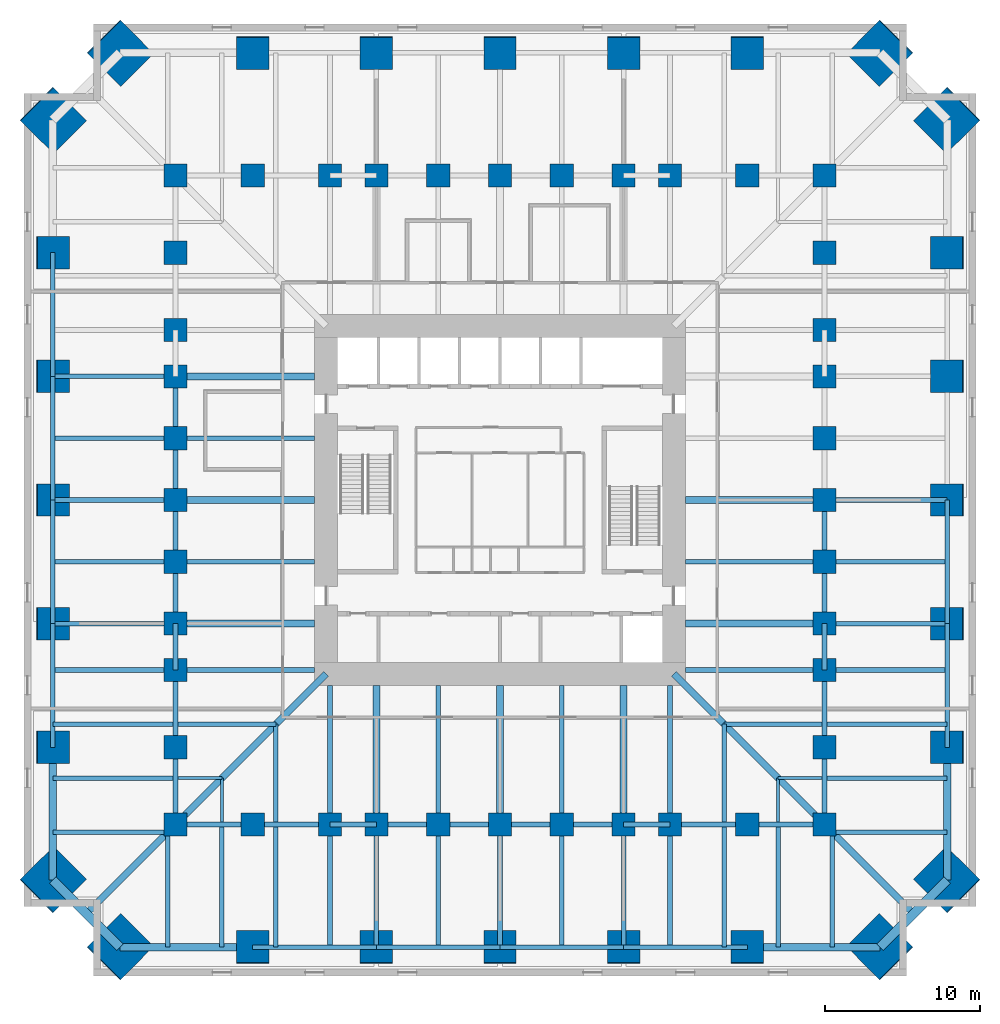
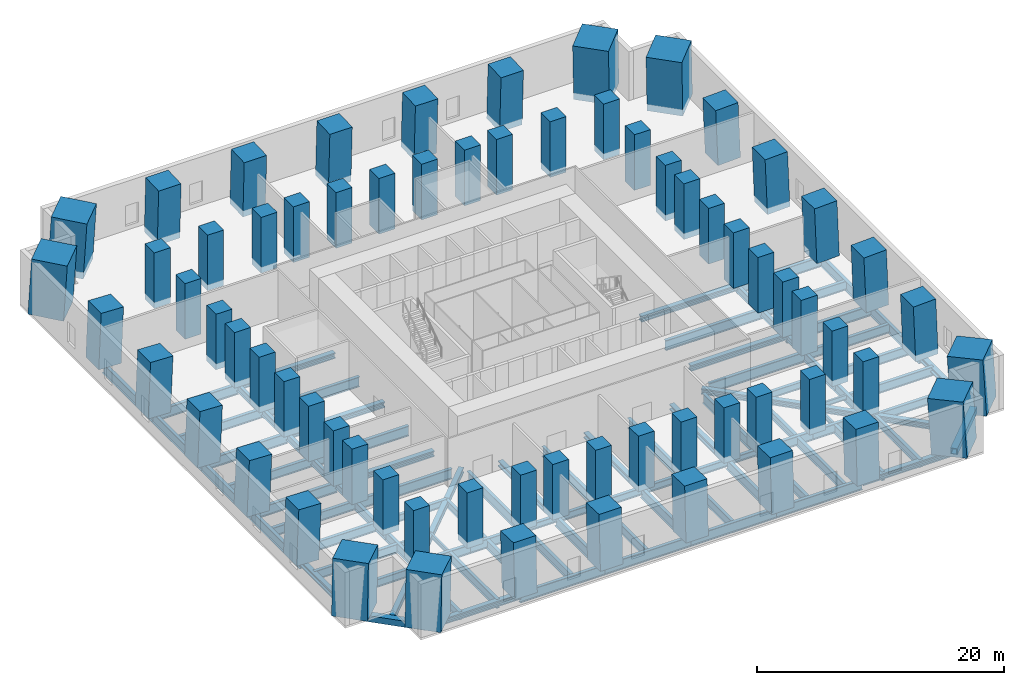
# One storey, part 1 of 8: 96 beams, 68 columns.
"""IFC4 building model written with IfcOpenShell, lengths in metres."""

from ifc_helpers import new_model, si_unit, direction, frame, origin, origin_2d, place, context, subcontext, project, spatial, rectangle, hollow_rectangle, i_section, extrude, material, material_profile, profile_set, type_object, element, save


model = new_model("IFC4")

# Units and contexts
model_context = context("Model", 3, precision=1e-05, world=origin(), true_north=direction((0.0, 1.0)))
body_context = subcontext(model_context, "Body", "Model", "MODEL_VIEW")
ifc_project = project(units=[si_unit("LENGTHUNIT", "METRE"), si_unit("AREAUNIT", "SQUARE_METRE"), si_unit("VOLUMEUNIT", "CUBIC_METRE"), si_unit("PLANEANGLEUNIT", "RADIAN"), si_unit("MASSUNIT", "GRAM", prefix="KILO")], contexts=[model_context])

# Site, building, storey
site_placement = place(None, origin())
site = spatial("IfcSite", under=ifc_project, at=site_placement, CompositionType="ELEMENT")
building_placement = place(site_placement, origin())
building = spatial("IfcBuilding", under=site, at=building_placement, Name="Peilmerk Tower", CompositionType="ELEMENT")
storey_placement = place(building_placement, frame((0.0, 0.0, 48.5)))
storey = spatial("IfcBuildingStorey", under=building, at=storey_placement, Name="L09", CompositionType="ELEMENT", Elevation=48.5)

# Columns
ifc_material_1 = material(Name="Concrete C90/105", Category="concrete")
ifc_material_profile_1 = material_profile(ifc_material_1, rectangle(XDim=3.0, YDim=3.0, at=origin_2d()), Name="RC 3000x3000")
ifc_profile_set_1 = profile_set([ifc_material_profile_1], Name="Concrete C90/105")
column_type_1 = type_object("IfcColumnType", Name="MC1 3000x3000 encased mega column", PredefinedType="COLUMN", material=ifc_profile_set_1)
for number, where, z_axis, x_axis, name in (
    (1, (24.591064453125, 28.941162109375, 0.0), (-0.04024000792, -0.040284325109, 0.998377641433), (0.707495835723, -0.706717512472, 0.0), "Mega column MC1 NE_N L09"),
    (2, (28.941162109375, 24.591064453125, 0.0), (-0.040284325109, -0.04024000792, 0.998377641433), (0.706717512472, -0.707495835723, 0.0), "Mega column MC1 NE_E L09"),
    (3, (28.941162109375, -24.591064453125, 0.0), (-0.040284325109, 0.04024000792, 0.998377641433), (-0.706717512472, -0.707495835723, 0.0), "Mega column MC1 SE_E L09"),
    (4, (24.591064453125, -28.941162109375, 0.0), (-0.04024000792, 0.040284325109, 0.998377641433), (-0.707495835723, -0.706717512472, 0.0), "Mega column MC1 SE_S L09"),
    (5, (-24.591064453125, -28.941162109375, 0.0), (0.04024000792, 0.040284325109, 0.998377641433), (-0.707495835723, 0.706717512472, 0.0), "Mega column MC1 SW_S L09"),
    (6, (-28.941162109375, -24.591064453125, 0.0), (0.040284325109, 0.04024000792, 0.998377641433), (-0.706717512472, 0.707495835723, 0.0), "Mega column MC1 SW_W L09"),
    (7, (-28.941162109375, 24.591064453125, 0.0), (0.040284325109, -0.04024000792, 0.998377641433), (0.706717512472, 0.707495835723, 0.0), "Mega column MC1 NW_W L09"),
    (8, (-24.591064453125, 28.941162109375, 0.0), (0.04024000792, -0.040284325109, 0.998377641433), (0.707495835723, 0.706717512472, 0.0), "Mega column MC1 NW_N L09"),
):
    element("IfcColumn", number, at=place(storey_placement, frame(where, z_axis=z_axis, x_axis=x_axis)), inside=storey, type_object=column_type_1, Name=name, PredefinedType="COLUMN", context=body_context, shape_type="SweptSolid", body=[
        extrude(rectangle(XDim=3.0, YDim=3.0, at=origin_2d()), origin(), (0.0, 0.0, 1.0), 5.509033203125),
    ])
ifc_material_profile_2 = material_profile(ifc_material_1, rectangle(XDim=2.10009765625, YDim=2.10009765625, at=origin_2d()), Name="RC 2100x2100")
ifc_profile_set_2 = profile_set([ifc_material_profile_2], Name="Concrete C90/105")
column_type_2 = type_object("IfcColumnType", Name="SC3 2100x2100 encased perimeter column", PredefinedType="COLUMN", material=ifc_profile_set_2)
for number, where, z_axis, x_axis, name in (
    (9, (0.0, 28.941162109375, 0.0), (0.0, -0.040316980135, 0.999186940023), (1.0, 0.0, 0.0), "Perimeter column N+0 L09"),
    (10, (8.0, 28.941162109375, 0.0), (0.0, -0.040316980135, 0.999186940023), (1.0, 0.0, 0.0), "Perimeter column N-8 L09"),
    (11, (-8.0, 28.941162109375, 0.0), (0.0, -0.040316980135, 0.999186940023), (1.0, 0.0, 0.0), "Perimeter column N+8 L09"),
    (12, (16.0, 28.941162109375, 0.0), (0.0, -0.040316980135, 0.999186940023), (1.0, 0.0, 0.0), "Perimeter column N-16 L09"),
    (13, (-16.0, 28.941162109375, 0.0), (0.0, -0.040316980135, 0.999186940023), (1.0, 0.0, 0.0), "Perimeter column N+16 L09"),
    (14, (28.941162109375, 0.0, 0.0), (-0.040316980135, 0.0, 0.999186940023), (0.0, -1.0, 0.0), "Perimeter column E+0 L09"),
    (15, (28.941162109375, -8.0, 0.0), (-0.040316980135, 0.0, 0.999186940023), (0.0, -1.0, 0.0), "Perimeter column E-8 L09"),
    (16, (28.941162109375, 8.0, 0.0), (-0.040316980135, 0.0, 0.999186940023), (0.0, -1.0, 0.0), "Perimeter column E+8 L09"),
    (17, (28.941162109375, -16.0, 0.0), (-0.040316980135, 0.0, 0.999186940023), (0.0, -1.0, 0.0), "Perimeter column E-16 L09"),
    (18, (28.941162109375, 16.0, 0.0), (-0.040316980135, 0.0, 0.999186940023), (0.0, -1.0, 0.0), "Perimeter column E+16 L09"),
    (19, (0.0, -28.941162109375, 0.0), (0.0, 0.040316980135, 0.999186940023), (-1.0, 0.0, 0.0), "Perimeter column S+0 L09"),
    (20, (-8.0, -28.941162109375, 0.0), (0.0, 0.040316980135, 0.999186940023), (-1.0, 0.0, 0.0), "Perimeter column S-8 L09"),
    (21, (8.0, -28.941162109375, 0.0), (0.0, 0.040316980135, 0.999186940023), (-1.0, 0.0, 0.0), "Perimeter column S+8 L09"),
    (22, (-16.0, -28.941162109375, 0.0), (0.0, 0.040316980135, 0.999186940023), (-1.0, 0.0, 0.0), "Perimeter column S-16 L09"),
    (23, (16.0, -28.941162109375, 0.0), (0.0, 0.040316980135, 0.999186940023), (-1.0, 0.0, 0.0), "Perimeter column S+16 L09"),
    (24, (-28.941162109375, 0.0, 0.0), (0.040316980135, 0.0, 0.999186940023), (0.0, 1.0, 0.0), "Perimeter column W+0 L09"),
    (25, (-28.941162109375, 8.0, 0.0), (0.040316980135, 0.0, 0.999186940023), (0.0, 1.0, 0.0), "Perimeter column W-8 L09"),
    (26, (-28.941162109375, -8.0, 0.0), (0.040316980135, 0.0, 0.999186940023), (0.0, 1.0, 0.0), "Perimeter column W+8 L09"),
    (27, (-28.941162109375, 16.0, 0.0), (0.040316980135, 0.0, 0.999186940023), (0.0, 1.0, 0.0), "Perimeter column W-16 L09"),
    (28, (-28.941162109375, -16.0, 0.0), (0.040316980135, 0.0, 0.999186940023), (0.0, 1.0, 0.0), "Perimeter column W+16 L09"),
):
    element("IfcColumn", number, at=place(storey_placement, frame(where, z_axis=z_axis, x_axis=x_axis)), inside=storey, type_object=column_type_2, Name=name, PredefinedType="COLUMN", context=body_context, shape_type="SweptSolid", body=[
        extrude(rectangle(XDim=2.10009765625, YDim=2.10009765625, at=origin_2d()), origin(), (0.0, 0.0, 1.0), 5.50439453125),
    ])
ifc_material_profile_3 = material_profile(ifc_material_1, rectangle(XDim=1.5, YDim=1.5, at=origin_2d()), Name="RC 1500x1500")
ifc_profile_set_3 = profile_set([ifc_material_profile_3], Name="Concrete C90/105")
column_type_3 = type_object("IfcColumnType", Name="SC4 1500x1500 encased interior column", PredefinedType="COLUMN", material=ifc_profile_set_3)
for number, where, z_axis, x_axis, name in (
    (29, (0.0, 21.0, 0.0), (0.0, 0.0, 1.0), (1.0, 0.0, 0.0), "Interior column N+0 L09"),
    (30, (4.0, 21.0, 0.0), (0.0, 0.0, 1.0), (1.0, 0.0, 0.0), "Interior column N-4 L09"),
    (31, (-4.0, 21.0, 0.0), (0.0, 0.0, 1.0), (1.0, 0.0, 0.0), "Interior column N+4 L09"),
    (32, (8.0, 21.0, 0.0), (0.0, 0.0, 1.0), (1.0, 0.0, 0.0), "Interior column N-8 L09"),
    (33, (-8.0, 21.0, 0.0), (0.0, 0.0, 1.0), (1.0, 0.0, 0.0), "Interior column N+8 L09"),
    (34, (11.0, 21.0, 0.0), (0.0, 0.0, 1.0), (1.0, 0.0, 0.0), "Interior column N-11 L09"),
    (35, (-11.0, 21.0, 0.0), (0.0, 0.0, 1.0), (1.0, 0.0, 0.0), "Interior column N+11 L09"),
    (36, (16.0, 21.0, 0.0), (0.0, 0.0, 1.0), (1.0, 0.0, 0.0), "Interior column N-16 L09"),
    (37, (-16.0, 21.0, 0.0), (0.0, 0.0, 1.0), (1.0, 0.0, 0.0), "Interior column N+16 L09"),
    (38, (21.0, 0.0, 0.0), (0.0, 0.0, 1.0), (1.0, 0.0, 0.0), "Interior column E+0 L09"),
    (39, (21.0, -4.0, 0.0), (0.0, 0.0, 1.0), (1.0, 0.0, 0.0), "Interior column E-4 L09"),
    (40, (21.0, 4.0, 0.0), (0.0, 0.0, 1.0), (1.0, 0.0, 0.0), "Interior column E+4 L09"),
    (41, (21.0, -8.0, 0.0), (0.0, 0.0, 1.0), (1.0, 0.0, 0.0), "Interior column E-8 L09"),
    (42, (21.0, 8.0, 0.0), (0.0, 0.0, 1.0), (1.0, 0.0, 0.0), "Interior column E+8 L09"),
    (43, (21.0, -11.0, 0.0), (0.0, 0.0, 1.0), (1.0, 0.0, 0.0), "Interior column E-11 L09"),
    (44, (21.0, 11.0, 0.0), (0.0, 0.0, 1.0), (1.0, 0.0, 0.0), "Interior column E+11 L09"),
    (45, (21.0, -16.0, 0.0), (0.0, 0.0, 1.0), (1.0, 0.0, 0.0), "Interior column E-16 L09"),
    (46, (21.0, 16.0, 0.0), (0.0, 0.0, 1.0), (1.0, 0.0, 0.0), "Interior column E+16 L09"),
    (47, (0.0, -21.0, 0.0), (0.0, 0.0, 1.0), (1.0, 0.0, 0.0), "Interior column S+0 L09"),
    (48, (-4.0, -21.0, 0.0), (0.0, 0.0, 1.0), (1.0, 0.0, 0.0), "Interior column S-4 L09"),
    (49, (4.0, -21.0, 0.0), (0.0, 0.0, 1.0), (1.0, 0.0, 0.0), "Interior column S+4 L09"),
    (50, (-8.0, -21.0, 0.0), (0.0, 0.0, 1.0), (1.0, 0.0, 0.0), "Interior column S-8 L09"),
    (51, (8.0, -21.0, 0.0), (0.0, 0.0, 1.0), (1.0, 0.0, 0.0), "Interior column S+8 L09"),
    (52, (-11.0, -21.0, 0.0), (0.0, 0.0, 1.0), (1.0, 0.0, 0.0), "Interior column S-11 L09"),
    (53, (11.0, -21.0, 0.0), (0.0, 0.0, 1.0), (1.0, 0.0, 0.0), "Interior column S+11 L09"),
    (54, (-16.0, -21.0, 0.0), (0.0, 0.0, 1.0), (1.0, 0.0, 0.0), "Interior column S-16 L09"),
    (55, (16.0, -21.0, 0.0), (0.0, 0.0, 1.0), (1.0, 0.0, 0.0), "Interior column S+16 L09"),
    (56, (-21.0, 0.0, 0.0), (0.0, 0.0, 1.0), (1.0, 0.0, 0.0), "Interior column W+0 L09"),
    (57, (-21.0, 4.0, 0.0), (0.0, 0.0, 1.0), (1.0, 0.0, 0.0), "Interior column W-4 L09"),
    (58, (-21.0, -4.0, 0.0), (0.0, 0.0, 1.0), (1.0, 0.0, 0.0), "Interior column W+4 L09"),
    (59, (-21.0, 8.0, 0.0), (0.0, 0.0, 1.0), (1.0, 0.0, 0.0), "Interior column W-8 L09"),
    (60, (-21.0, -8.0, 0.0), (0.0, 0.0, 1.0), (1.0, 0.0, 0.0), "Interior column W+8 L09"),
    (61, (-21.0, 11.0, 0.0), (0.0, 0.0, 1.0), (1.0, 0.0, 0.0), "Interior column W-11 L09"),
    (62, (-21.0, -11.0, 0.0), (0.0, 0.0, 1.0), (1.0, 0.0, 0.0), "Interior column W+11 L09"),
    (63, (-21.0, 16.0, 0.0), (0.0, 0.0, 1.0), (1.0, 0.0, 0.0), "Interior column W-16 L09"),
    (64, (-21.0, -16.0, 0.0), (0.0, 0.0, 1.0), (1.0, 0.0, 0.0), "Interior column W+16 L09"),
    (65, (21.0, 21.0, 0.0), (0.0, 0.0, 1.0), (1.0, 0.0, 0.0), "Interior column NE L09"),
    (66, (21.0, -21.0, 0.0), (0.0, 0.0, 1.0), (1.0, 0.0, 0.0), "Interior column SE L09"),
    (67, (-21.0, -21.0, 0.0), (0.0, 0.0, 1.0), (1.0, 0.0, 0.0), "Interior column SW L09"),
    (68, (-21.0, 21.0, 0.0), (0.0, 0.0, 1.0), (1.0, 0.0, 0.0), "Interior column NW L09"),
):
    element("IfcColumn", number, at=place(storey_placement, frame(where, z_axis=z_axis, x_axis=x_axis)), inside=storey, type_object=column_type_3, Name=name, PredefinedType="COLUMN", context=body_context, shape_type="SweptSolid", body=[
        extrude(rectangle(XDim=1.5, YDim=1.5, at=origin_2d()), origin(), (0.0, 0.0, 1.0), 5.5),
    ])

# Beams
ifc_material_2 = material(Name="Steel S355", Category="steel")
ifc_material_profile_4 = material_profile(ifc_material_2, i_section(OverallWidth=0.300048828125, OverallDepth=1.0, WebThickness=0.01904296875, FlangeThickness=0.035888671875, at=origin_2d()), Name="HEB 1000")
ifc_profile_set_4 = profile_set([ifc_material_profile_4], Name="Steel S355")
beam_type_1 = type_object("IfcBeamType", Name="B13 HEB 1000 edge beam", PredefinedType="SPANDREL", material=ifc_profile_set_4)
for number, where, z_axis, x_axis, name in (
    (69, (28.941162109375, -16.0, -0.699951171875), (0.0, 1.0, 0.0), (-1.0, 0.0, 0.0), "Edge beam L09"),
    (70, (28.941162109375, -8.0, -0.699951171875), (0.0, 1.0, 0.0), (-1.0, 0.0, 0.0), "Edge beam L09"),
    (71, (-16.0, -28.941162109375, -0.699951171875), (1.0, 0.0, 0.0), (0.0, 1.0, 0.0), "Edge beam L09"),
    (72, (-8.0, -28.941162109375, -0.699951171875), (1.0, 0.0, 0.0), (0.0, 1.0, 0.0), "Edge beam L09"),
    (73, (0.0, -28.941162109375, -0.699951171875), (1.0, 0.0, 0.0), (0.0, 1.0, 0.0), "Edge beam L09"),
    (74, (8.0, -28.941162109375, -0.699951171875), (1.0, 0.0, 0.0), (0.0, 1.0, 0.0), "Edge beam L09"),
    (75, (-28.941162109375, 16.0, -0.699951171875), (0.0, -1.0, 0.0), (1.0, 0.0, 0.0), "Edge beam L09"),
    (76, (-28.941162109375, 8.0, -0.699951171875), (0.0, -1.0, 0.0), (1.0, 0.0, 0.0), "Edge beam L09"),
    (77, (-28.941162109375, 0.0, -0.699951171875), (0.0, -1.0, 0.0), (1.0, 0.0, 0.0), "Edge beam L09"),
    (78, (-28.941162109375, -8.0, -0.699951171875), (0.0, -1.0, 0.0), (1.0, 0.0, 0.0), "Edge beam L09"),
):
    element("IfcBeam", number, at=place(storey_placement, frame(where, z_axis=z_axis, x_axis=x_axis)), inside=storey, type_object=beam_type_1, Name=name, PredefinedType="SPANDREL", context=body_context, shape_type="SweptSolid", body=[
        extrude(i_section(OverallWidth=0.300048828125, OverallDepth=1.0, WebThickness=0.01904296875, FlangeThickness=0.035888671875, at=origin_2d()), origin(), (0.0, 0.0, 1.0), 8.0),
    ])
ifc_material_profile_5 = material_profile(ifc_material_2, i_section(OverallWidth=0.300048828125, OverallDepth=0.68994140625, WebThickness=0.014404296875, FlangeThickness=0.027099609375, at=origin_2d()), Name="HEA 700")
ifc_profile_set_5 = profile_set([ifc_material_profile_5], Name="Steel S355")
beam_type_2 = type_object("IfcBeamType", Name="B16 HEA 700 floor beam", PredefinedType="BEAM", material=ifc_profile_set_5)
for number, where, z_axis, x_axis, name in (
    (79, (14.5, -14.5, -0.544921875), (0.0, -1.0, 0.0), (1.0, 0.0, 0.0), "Floor beam L09"),
    (80, (14.5, -14.5, -0.544921875), (1.0, 0.0, 0.0), (0.0, 1.0, 0.0), "Floor beam L09"),
    (81, (-14.5, -14.5, -0.544921875), (0.0, -1.0, 0.0), (1.0, 0.0, 0.0), "Floor beam L09"),
    (82, (-14.5, -14.5, -0.544921875), (-1.0, 0.0, 0.0), (0.0, -1.0, 0.0), "Floor beam L09"),
):
    element("IfcBeam", number, at=place(storey_placement, frame(where, z_axis=z_axis, x_axis=x_axis)), inside=storey, type_object=beam_type_2, Name=name, PredefinedType="BEAM", context=body_context, shape_type="SweptSolid", body=[
        extrude(i_section(OverallWidth=0.300048828125, OverallDepth=0.68994140625, WebThickness=0.014404296875, FlangeThickness=0.027099609375, at=origin_2d()), origin(), (0.0, 0.0, 1.0), 6.34912109375),
    ])
ifc_material_profile_6 = material_profile(ifc_material_2, i_section(OverallWidth=0.302001953125, OverallDepth=0.909912109375, WebThickness=0.02099609375, FlangeThickness=0.0400390625, at=origin_2d()), Name="HEM 900")
ifc_profile_set_6 = profile_set([ifc_material_profile_6], Name="Steel S355")
beam_type_3 = type_object("IfcBeamType", Name="B18 HEM 900 ring girder", PredefinedType="BEAM", material=ifc_profile_set_6)
for number, where, z_axis, x_axis, name in (
    (83, (21.0, -21.0, -0.655029296875), (0.0, 1.0, 0.0), (-1.0, 0.0, 0.0), "Ring girder L09"),
    (84, (21.0, -16.0, -0.655029296875), (0.0, 1.0, 0.0), (-1.0, 0.0, 0.0), "Ring girder L09"),
    (85, (-21.0, -21.0, -0.655029296875), (1.0, 0.0, 0.0), (0.0, 1.0, 0.0), "Ring girder L09"),
    (86, (-16.0, -21.0, -0.655029296875), (1.0, 0.0, 0.0), (0.0, 1.0, 0.0), "Ring girder L09"),
    (87, (11.0, -21.0, -0.655029296875), (1.0, 0.0, 0.0), (0.0, 1.0, 0.0), "Ring girder L09"),
    (88, (16.0, -21.0, -0.655029296875), (1.0, 0.0, 0.0), (0.0, 1.0, 0.0), "Ring girder L09"),
    (89, (-21.0, -11.0, -0.655029296875), (0.0, -1.0, 0.0), (1.0, 0.0, 0.0), "Ring girder L09"),
    (90, (-21.0, -16.0, -0.655029296875), (0.0, -1.0, 0.0), (1.0, 0.0, 0.0), "Ring girder L09"),
):
    element("IfcBeam", number, at=place(storey_placement, frame(where, z_axis=z_axis, x_axis=x_axis)), inside=storey, type_object=beam_type_3, Name=name, PredefinedType="BEAM", context=body_context, shape_type="SweptSolid", body=[
        extrude(i_section(OverallWidth=0.302001953125, OverallDepth=0.909912109375, WebThickness=0.02099609375, FlangeThickness=0.0400390625, at=origin_2d()), origin(), (0.0, 0.0, 1.0), 5.0),
    ])
ifc_material_profile_7 = material_profile(ifc_material_2, i_section(OverallWidth=0.303955078125, OverallDepth=0.716064453125, WebThickness=0.02099609375, FlangeThickness=0.0400390625, at=origin_2d()), Name="HEM 700")
ifc_profile_set_7 = profile_set([ifc_material_profile_7], Name="Steel S355")
beam_type_4 = type_object("IfcBeamType", Name="B19 HEM 700 ring girder", PredefinedType="BEAM", material=ifc_profile_set_7)
for number, where, z_axis, x_axis, name in (
    (91, (21.0, -8.0, -0.55810546875), (0.0, 1.0, 0.0), (-1.0, 0.0, 0.0), "Ring girder L09"),
    (92, (21.0, -4.0, -0.55810546875), (0.0, 1.0, 0.0), (-1.0, 0.0, 0.0), "Ring girder L09"),
    (93, (-8.0, -21.0, -0.55810546875), (1.0, 0.0, 0.0), (0.0, 1.0, 0.0), "Ring girder L09"),
    (94, (-4.0, -21.0, -0.55810546875), (1.0, 0.0, 0.0), (0.0, 1.0, 0.0), "Ring girder L09"),
    (95, (0.0, -21.0, -0.55810546875), (1.0, 0.0, 0.0), (0.0, 1.0, 0.0), "Ring girder L09"),
    (96, (4.0, -21.0, -0.55810546875), (1.0, 0.0, 0.0), (0.0, 1.0, 0.0), "Ring girder L09"),
    (97, (-21.0, 8.0, -0.55810546875), (0.0, -1.0, 0.0), (1.0, 0.0, 0.0), "Ring girder L09"),
    (98, (-21.0, 4.0, -0.55810546875), (0.0, -1.0, 0.0), (1.0, 0.0, 0.0), "Ring girder L09"),
    (99, (-21.0, 0.0, -0.55810546875), (0.0, -1.0, 0.0), (1.0, 0.0, 0.0), "Ring girder L09"),
    (100, (-21.0, -4.0, -0.55810546875), (0.0, -1.0, 0.0), (1.0, 0.0, 0.0), "Ring girder L09"),
):
    element("IfcBeam", number, at=place(storey_placement, frame(where, z_axis=z_axis, x_axis=x_axis)), inside=storey, type_object=beam_type_4, Name=name, PredefinedType="BEAM", context=body_context, shape_type="SweptSolid", body=[
        extrude(i_section(OverallWidth=0.303955078125, OverallDepth=0.716064453125, WebThickness=0.02099609375, FlangeThickness=0.0400390625, at=origin_2d()), origin(), (0.0, 0.0, 1.0), 4.0),
    ])
ifc_material_3 = material(Name="Steel S460", Category="steel")
ifc_material_profile_8 = material_profile(ifc_material_3, hollow_rectangle(XDim=0.60009765625, YDim=0.60009765625, WallThickness=0.06005859375, at=origin_2d()), Name="BOX 600x600x60")
ifc_profile_set_8 = profile_set([ifc_material_profile_8], Name="Steel S460")
beam_type_5 = type_object("IfcBeamType", Name="B20 BOX 600x600x60 notch beam", PredefinedType="SPANDREL", material=ifc_profile_set_8)
for number, where, z_axis, x_axis, name in (
    (101, (28.941162109375, -24.591064453125, -0.5), (-0.707106781187, -0.707106781187, 0.0), (0.707106781187, -0.707106781187, 0.0), "Notch beam L09"),
    (102, (-24.591064453125, -28.941162109375, -0.5), (-0.707106781187, 0.707106781187, 0.0), (-0.707106781187, -0.707106781187, 0.0), "Notch beam L09"),
):
    element("IfcBeam", number, at=place(storey_placement, frame(where, z_axis=z_axis, x_axis=x_axis)), inside=storey, type_object=beam_type_5, Name=name, PredefinedType="SPANDREL", context=body_context, shape_type="SweptSolid", body=[
        extrude(hollow_rectangle(XDim=0.60009765625, YDim=0.60009765625, WallThickness=0.06005859375, at=origin_2d()), origin(), (0.0, 0.0, 1.0), 6.15185546875),
    ])
ifc_material_profile_9 = material_profile(ifc_material_2, i_section(OverallWidth=0.18994140625, OverallDepth=0.449951171875, WebThickness=0.009521484375, FlangeThickness=0.0146484375, at=origin_2d()), Name="IPE 450")
ifc_profile_set_9 = profile_set([ifc_material_profile_9], Name="Steel S355")
beam_type_6 = type_object("IfcBeamType", Name="B21 IPE 450 floor beam", PredefinedType="BEAM", material=ifc_profile_set_9)
for number, where, z_axis, x_axis, name in (
    (103, (18.0, -18.0, -0.425048828125), (0.0, -1.0, 0.0), (1.0, 0.0, 0.0), "Floor beam L09"),
    (104, (18.0, -18.0, -0.425048828125), (1.0, 0.0, 0.0), (0.0, 1.0, 0.0), "Floor beam L09"),
    (105, (-18.0, -18.0, -0.425048828125), (0.0, -1.0, 0.0), (1.0, 0.0, 0.0), "Floor beam L09"),
    (106, (-18.0, -18.0, -0.425048828125), (-1.0, 0.0, 0.0), (0.0, -1.0, 0.0), "Floor beam L09"),
):
    element("IfcBeam", number, at=place(storey_placement, frame(where, z_axis=z_axis, x_axis=x_axis)), inside=storey, type_object=beam_type_6, Name=name, PredefinedType="BEAM", context=body_context, shape_type="SweptSolid", body=[
        extrude(i_section(OverallWidth=0.18994140625, OverallDepth=0.449951171875, WebThickness=0.009521484375, FlangeThickness=0.0146484375, at=origin_2d()), origin(), (0.0, 0.0, 1.0), 2.84912109375),
    ])
ifc_material_profile_10 = material_profile(ifc_material_2, i_section(OverallWidth=0.4541015625, OverallDepth=0.569091796875, WebThickness=0.077880859375, FlangeThickness=0.125, at=origin_2d()), Name="HD 400x1086")
ifc_profile_set_10 = profile_set([ifc_material_profile_10], Name="Steel S355")
beam_type_7 = type_object("IfcBeamType", Name="B23 HD 400x1086 edge beam", PredefinedType="SPANDREL", material=ifc_profile_set_10)
for number, where, z_axis, x_axis, name in (
    (107, (28.941162109375, -24.591064453125, -0.484619140625), (0.0, 1.0, 0.0), (-1.0, 0.0, 0.0), "Edge beam L09"),
    (108, (-24.591064453125, -28.941162109375, -0.484619140625), (1.0, 0.0, 0.0), (0.0, 1.0, 0.0), "Edge beam L09"),
    (109, (16.0, -28.941162109375, -0.484619140625), (1.0, 0.0, 0.0), (0.0, 1.0, 0.0), "Edge beam L09"),
    (110, (-28.941162109375, -16.0, -0.484619140625), (0.0, -1.0, 0.0), (1.0, 0.0, 0.0), "Edge beam L09"),
):
    element("IfcBeam", number, at=place(storey_placement, frame(where, z_axis=z_axis, x_axis=x_axis)), inside=storey, type_object=beam_type_7, Name=name, PredefinedType="SPANDREL", context=body_context, shape_type="SweptSolid", body=[
        extrude(i_section(OverallWidth=0.4541015625, OverallDepth=0.569091796875, WebThickness=0.077880859375, FlangeThickness=0.125, at=origin_2d()), origin(), (0.0, 0.0, 1.0), 8.591064453125),
    ])
ifc_material_profile_11 = material_profile(ifc_material_2, i_section(OverallWidth=0.302001953125, OverallDepth=1.008056640625, WebThickness=0.02099609375, FlangeThickness=0.0400390625, at=origin_2d()), Name="HEM 1000")
ifc_profile_set_11 = profile_set([ifc_material_profile_11], Name="Steel S355")
beam_type_8 = type_object("IfcBeamType", Name="B24 HEM 1000 floor girder", PredefinedType="BEAM", material=ifc_profile_set_11)
for number, where, z_axis, x_axis, name in (
    (111, (21.0, -8.0, -0.7041015625), (1.0, 0.0, 0.0), (0.0, 1.0, 0.0), "Floor girder L09"),
    (112, (21.0, 0.0, -0.7041015625), (1.0, 0.0, 0.0), (0.0, 1.0, 0.0), "Floor girder L09"),
    (113, (-8.0, -21.0, -0.7041015625), (0.0, -1.0, 0.0), (1.0, 0.0, 0.0), "Floor girder L09"),
    (114, (0.0, -21.0, -0.7041015625), (0.0, -1.0, 0.0), (1.0, 0.0, 0.0), "Floor girder L09"),
    (115, (8.0, -21.0, -0.7041015625), (0.0, -1.0, 0.0), (1.0, 0.0, 0.0), "Floor girder L09"),
    (116, (-21.0, 8.0, -0.7041015625), (-1.0, 0.0, 0.0), (0.0, -1.0, 0.0), "Floor girder L09"),
    (117, (-21.0, 0.0, -0.7041015625), (-1.0, 0.0, 0.0), (0.0, -1.0, 0.0), "Floor girder L09"),
    (118, (-21.0, -8.0, -0.7041015625), (-1.0, 0.0, 0.0), (0.0, -1.0, 0.0), "Floor girder L09"),
):
    element("IfcBeam", number, at=place(storey_placement, frame(where, z_axis=z_axis, x_axis=x_axis)), inside=storey, type_object=beam_type_8, Name=name, PredefinedType="BEAM", context=body_context, shape_type="SweptSolid", body=[
        extrude(i_section(OverallWidth=0.302001953125, OverallDepth=1.008056640625, WebThickness=0.02099609375, FlangeThickness=0.0400390625, at=origin_2d()), origin(), (0.0, 0.0, 1.0), 7.941162109375),
    ])
ifc_material_profile_12 = material_profile(ifc_material_2, i_section(OverallWidth=0.300048828125, OverallDepth=0.7900390625, WebThickness=0.014892578125, FlangeThickness=0.028076171875, at=origin_2d()), Name="HEA 800")
ifc_profile_set_12 = profile_set([ifc_material_profile_12], Name="Steel S355")
beam_type_9 = type_object("IfcBeamType", Name="B3 HEA 800 floor beam", PredefinedType="BEAM", material=ifc_profile_set_12)
for number, where, z_axis, x_axis, name in (
    (119, (21.5, -21.5, -0.594970703125), (0.0, -1.0, 0.0), (1.0, 0.0, 0.0), "Floor beam L09"),
    (120, (21.5, -21.5, -0.594970703125), (1.0, 0.0, 0.0), (0.0, 1.0, 0.0), "Floor beam L09"),
    (121, (-21.5, -21.5, -0.594970703125), (0.0, -1.0, 0.0), (1.0, 0.0, 0.0), "Floor beam L09"),
    (122, (-21.5, -21.5, -0.594970703125), (-1.0, 0.0, 0.0), (0.0, -1.0, 0.0), "Floor beam L09"),
):
    element("IfcBeam", number, at=place(storey_placement, frame(where, z_axis=z_axis, x_axis=x_axis)), inside=storey, type_object=beam_type_9, Name=name, PredefinedType="BEAM", context=body_context, shape_type="SweptSolid", body=[
        extrude(i_section(OverallWidth=0.300048828125, OverallDepth=0.7900390625, WebThickness=0.014892578125, FlangeThickness=0.028076171875, at=origin_2d()), origin(), (0.0, 0.0, 1.0), 7.441162109375),
    ])
ifc_material_profile_13 = material_profile(ifc_material_2, i_section(OverallWidth=0.300048828125, OverallDepth=0.889892578125, WebThickness=0.01611328125, FlangeThickness=0.030029296875, at=origin_2d()), Name="HEA 900")
ifc_profile_set_13 = profile_set([ifc_material_profile_13], Name="Steel S355")
beam_type_10 = type_object("IfcBeamType", Name="B4 HEA 900 floor beam", PredefinedType="BEAM", material=ifc_profile_set_13)
for number, where, z_axis, x_axis, name in (
    (123, (21.0, -11.0, -0.64501953125), (1.0, 0.0, 0.0), (0.0, 1.0, 0.0), "Floor beam L09"),
    (124, (21.0, -4.0, -0.64501953125), (1.0, 0.0, 0.0), (0.0, 1.0, 0.0), "Floor beam L09"),
    (125, (-11.0, -21.0, -0.64501953125), (0.0, -1.0, 0.0), (1.0, 0.0, 0.0), "Floor beam L09"),
    (126, (-4.0, -21.0, -0.64501953125), (0.0, -1.0, 0.0), (1.0, 0.0, 0.0), "Floor beam L09"),
    (127, (4.0, -21.0, -0.64501953125), (0.0, -1.0, 0.0), (1.0, 0.0, 0.0), "Floor beam L09"),
    (128, (11.0, -21.0, -0.64501953125), (0.0, -1.0, 0.0), (1.0, 0.0, 0.0), "Floor beam L09"),
    (129, (-21.0, 4.0, -0.64501953125), (-1.0, 0.0, 0.0), (0.0, -1.0, 0.0), "Floor beam L09"),
    (130, (-21.0, -4.0, -0.64501953125), (-1.0, 0.0, 0.0), (0.0, -1.0, 0.0), "Floor beam L09"),
    (131, (-21.0, -11.0, -0.64501953125), (-1.0, 0.0, 0.0), (0.0, -1.0, 0.0), "Floor beam L09"),
):
    element("IfcBeam", number, at=place(storey_placement, frame(where, z_axis=z_axis, x_axis=x_axis)), inside=storey, type_object=beam_type_10, Name=name, PredefinedType="BEAM", context=body_context, shape_type="SweptSolid", body=[
        extrude(i_section(OverallWidth=0.300048828125, OverallDepth=0.889892578125, WebThickness=0.01611328125, FlangeThickness=0.030029296875, at=origin_2d()), origin(), (0.0, 0.0, 1.0), 7.941162109375),
    ])
for number, where, z_axis, x_axis, name in (
    (132, (14.5, -21.15087890625, -0.64501953125), (0.0, -1.0, 0.0), (1.0, 0.0, 0.0), "Floor beam L09"),
    (133, (21.15087890625, -14.5, -0.64501953125), (1.0, 0.0, 0.0), (0.0, 1.0, 0.0), "Floor beam L09"),
    (134, (18.0, -21.15087890625, -0.64501953125), (0.0, -1.0, 0.0), (1.0, 0.0, 0.0), "Floor beam L09"),
    (135, (21.15087890625, -18.0, -0.64501953125), (1.0, 0.0, 0.0), (0.0, 1.0, 0.0), "Floor beam L09"),
    (136, (-14.5, -21.15087890625, -0.64501953125), (0.0, -1.0, 0.0), (1.0, 0.0, 0.0), "Floor beam L09"),
    (137, (-21.15087890625, -14.5, -0.64501953125), (-1.0, 0.0, 0.0), (0.0, -1.0, 0.0), "Floor beam L09"),
    (138, (-18.0, -21.15087890625, -0.64501953125), (0.0, -1.0, 0.0), (1.0, 0.0, 0.0), "Floor beam L09"),
    (139, (-21.15087890625, -18.0, -0.64501953125), (-1.0, 0.0, 0.0), (0.0, -1.0, 0.0), "Floor beam L09"),
):
    element("IfcBeam", number, at=place(storey_placement, frame(where, z_axis=z_axis, x_axis=x_axis)), inside=storey, type_object=beam_type_10, Name=name, PredefinedType="BEAM", context=body_context, shape_type="SweptSolid", body=[
        extrude(i_section(OverallWidth=0.300048828125, OverallDepth=0.889892578125, WebThickness=0.01611328125, FlangeThickness=0.030029296875, at=origin_2d()), origin(), (0.0, 0.0, 1.0), 7.790283203125),
    ])
ifc_material_profile_14 = material_profile(ifc_material_2, i_section(OverallWidth=0.300048828125, OverallDepth=1.0, WebThickness=0.01904296875, FlangeThickness=0.035888671875, at=origin_2d()), Name="HEB 1000")
ifc_profile_set_14 = profile_set([ifc_material_profile_14], Name="Steel S355")
beam_type_11 = type_object("IfcBeamType", Name="B5 HEB 1000 floor girder", PredefinedType="BEAM", material=ifc_profile_set_14)
for number, where, z_axis, x_axis, name in (
    (140, (12.0, -11.0, -0.699951171875), (1.0, 0.0, 0.0), (0.0, 1.0, 0.0), "Floor beam L09"),
    (141, (12.0, -4.0, -0.699951171875), (1.0, 0.0, 0.0), (0.0, 1.0, 0.0), "Floor beam L09"),
    (142, (-11.0, -12.0, -0.699951171875), (0.0, -1.0, 0.0), (1.0, 0.0, 0.0), "Floor beam L09"),
    (143, (-4.0, -12.0, -0.699951171875), (0.0, -1.0, 0.0), (1.0, 0.0, 0.0), "Floor beam L09"),
    (144, (4.0, -12.0, -0.699951171875), (0.0, -1.0, 0.0), (1.0, 0.0, 0.0), "Floor beam L09"),
    (145, (11.0, -12.0, -0.699951171875), (0.0, -1.0, 0.0), (1.0, 0.0, 0.0), "Floor beam L09"),
    (146, (-12.0, 4.0, -0.699951171875), (-1.0, 0.0, 0.0), (0.0, -1.0, 0.0), "Floor beam L09"),
    (147, (-12.0, -4.0, -0.699951171875), (-1.0, 0.0, 0.0), (0.0, -1.0, 0.0), "Floor beam L09"),
    (148, (-12.0, -11.0, -0.699951171875), (-1.0, 0.0, 0.0), (0.0, -1.0, 0.0), "Floor beam L09"),
):
    element("IfcBeam", number, at=place(storey_placement, frame(where, z_axis=z_axis, x_axis=x_axis)), inside=storey, type_object=beam_type_11, Name=name, PredefinedType="BEAM", context=body_context, shape_type="SweptSolid", body=[
        extrude(i_section(OverallWidth=0.300048828125, OverallDepth=1.0, WebThickness=0.01904296875, FlangeThickness=0.035888671875, at=origin_2d()), origin(), (0.0, 0.0, 1.0), 9.0),
    ])
ifc_material_profile_15 = material_profile(ifc_material_2, i_section(OverallWidth=0.304931640625, OverallDepth=0.6201171875, WebThickness=0.02099609375, FlangeThickness=0.0400390625, at=origin_2d()), Name="HEM 600")
ifc_profile_set_15 = profile_set([ifc_material_profile_15], Name="Steel S355")
beam_type_12 = type_object("IfcBeamType", Name="B6 HEM 600 ring girder", PredefinedType="BEAM", material=ifc_profile_set_15)
for number, where, z_axis, x_axis, name in (
    (149, (21.0, -11.0, -0.510009765625), (0.0, 1.0, 0.0), (-1.0, 0.0, 0.0), "Ring girder L09"),
    (150, (-11.0, -21.0, -0.510009765625), (1.0, 0.0, 0.0), (0.0, 1.0, 0.0), "Ring girder L09"),
    (151, (8.0, -21.0, -0.510009765625), (1.0, 0.0, 0.0), (0.0, 1.0, 0.0), "Ring girder L09"),
    (152, (-21.0, -8.0, -0.510009765625), (0.0, -1.0, 0.0), (1.0, 0.0, 0.0), "Ring girder L09"),
):
    element("IfcBeam", number, at=place(storey_placement, frame(where, z_axis=z_axis, x_axis=x_axis)), inside=storey, type_object=beam_type_12, Name=name, PredefinedType="BEAM", context=body_context, shape_type="SweptSolid", body=[
        extrude(i_section(OverallWidth=0.304931640625, OverallDepth=0.6201171875, WebThickness=0.02099609375, FlangeThickness=0.0400390625, at=origin_2d()), origin(), (0.0, 0.0, 1.0), 3.0),
    ])
ifc_material_profile_16 = material_profile(ifc_material_3, i_section(OverallWidth=0.4541015625, OverallDepth=0.569091796875, WebThickness=0.077880859375, FlangeThickness=0.125, at=origin_2d()), Name="HD 400x1086")
ifc_profile_set_16 = profile_set([ifc_material_profile_16], Name="Steel S460")
beam_type_13 = type_object("IfcBeamType", Name="B9 HD 400x1086 corner girder", PredefinedType="BEAM", material=ifc_profile_set_16)
for number, where, z_axis, x_axis, name in (
    (153, (12.0, -8.0, -0.484619140625), (1.0, 0.0, 0.0), (0.0, 1.0, 0.0), "Floor girder L09"),
    (154, (12.0, 0.0, -0.484619140625), (1.0, 0.0, 0.0), (0.0, 1.0, 0.0), "Floor girder L09"),
    (155, (-8.0, -12.0, -0.484619140625), (0.0, -1.0, 0.0), (1.0, 0.0, 0.0), "Floor girder L09"),
    (156, (0.0, -12.0, -0.484619140625), (0.0, -1.0, 0.0), (1.0, 0.0, 0.0), "Floor girder L09"),
    (157, (8.0, -12.0, -0.484619140625), (0.0, -1.0, 0.0), (1.0, 0.0, 0.0), "Floor girder L09"),
    (158, (-12.0, 8.0, -0.484619140625), (-1.0, 0.0, 0.0), (0.0, -1.0, 0.0), "Floor girder L09"),
    (159, (-12.0, 0.0, -0.484619140625), (-1.0, 0.0, 0.0), (0.0, -1.0, 0.0), "Floor girder L09"),
    (160, (-12.0, -8.0, -0.484619140625), (-1.0, 0.0, 0.0), (0.0, -1.0, 0.0), "Floor girder L09"),
):
    element("IfcBeam", number, at=place(storey_placement, frame(where, z_axis=z_axis, x_axis=x_axis)), inside=storey, type_object=beam_type_13, Name=name, PredefinedType="BEAM", context=body_context, shape_type="SweptSolid", body=[
        extrude(i_section(OverallWidth=0.4541015625, OverallDepth=0.569091796875, WebThickness=0.077880859375, FlangeThickness=0.125, at=origin_2d()), origin(), (0.0, 0.0, 1.0), 9.0),
    ])
beam_1_placement = place(storey_placement, frame((11.25, -11.25, -0.484619140625), z_axis=(0.707106781187, -0.707106781187, 0.0), x_axis=(0.707106781187, 0.707106781187, 0.0)))
element("IfcBeam", 161, at=beam_1_placement, inside=storey, type_object=beam_type_13, Name="Corner girder L09", PredefinedType="BEAM", context=body_context, shape_type="SweptSolid", body=[
    extrude(i_section(OverallWidth=0.4541015625, OverallDepth=0.569091796875, WebThickness=0.077880859375, FlangeThickness=0.125, at=origin_2d()), origin(), (0.0, 0.0, 1.0), 13.78857421875),
])
beam_2_placement = place(storey_placement, frame((21.0, -21.0, -0.484619140625), z_axis=(0.707106781187, -0.707106781187, 0.0), x_axis=(0.707106781187, 0.707106781187, 0.0)))
element("IfcBeam", 162, at=beam_2_placement, inside=storey, type_object=beam_type_13, Name="Corner girder L09", PredefinedType="BEAM", context=body_context, shape_type="SweptSolid", body=[
    extrude(i_section(OverallWidth=0.4541015625, OverallDepth=0.569091796875, WebThickness=0.077880859375, FlangeThickness=0.125, at=origin_2d()), origin(), (0.0, 0.0, 1.0), 8.154541015625),
])
beam_3_placement = place(storey_placement, frame((-11.25, -11.25, -0.484619140625), z_axis=(-0.707106781187, -0.707106781187, 0.0), x_axis=(0.707106781187, -0.707106781187, 0.0)))
element("IfcBeam", 163, at=beam_3_placement, inside=storey, type_object=beam_type_13, Name="Corner girder L09", PredefinedType="BEAM", context=body_context, shape_type="SweptSolid", body=[
    extrude(i_section(OverallWidth=0.4541015625, OverallDepth=0.569091796875, WebThickness=0.077880859375, FlangeThickness=0.125, at=origin_2d()), origin(), (0.0, 0.0, 1.0), 13.78857421875),
])
beam_4_placement = place(storey_placement, frame((-21.0, -21.0, -0.484619140625), z_axis=(-0.707106781187, -0.707106781187, 0.0), x_axis=(0.707106781187, -0.707106781187, 0.0)))
element("IfcBeam", 164, at=beam_4_placement, inside=storey, type_object=beam_type_13, Name="Corner girder L09", PredefinedType="BEAM", context=body_context, shape_type="SweptSolid", body=[
    extrude(i_section(OverallWidth=0.4541015625, OverallDepth=0.569091796875, WebThickness=0.077880859375, FlangeThickness=0.125, at=origin_2d()), origin(), (0.0, 0.0, 1.0), 8.154541015625),
])

save(model, "model.ifc")
